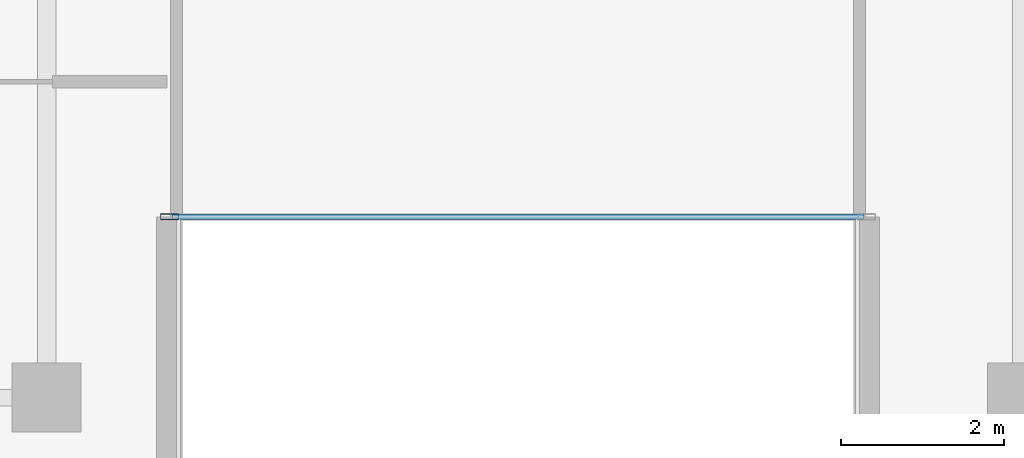
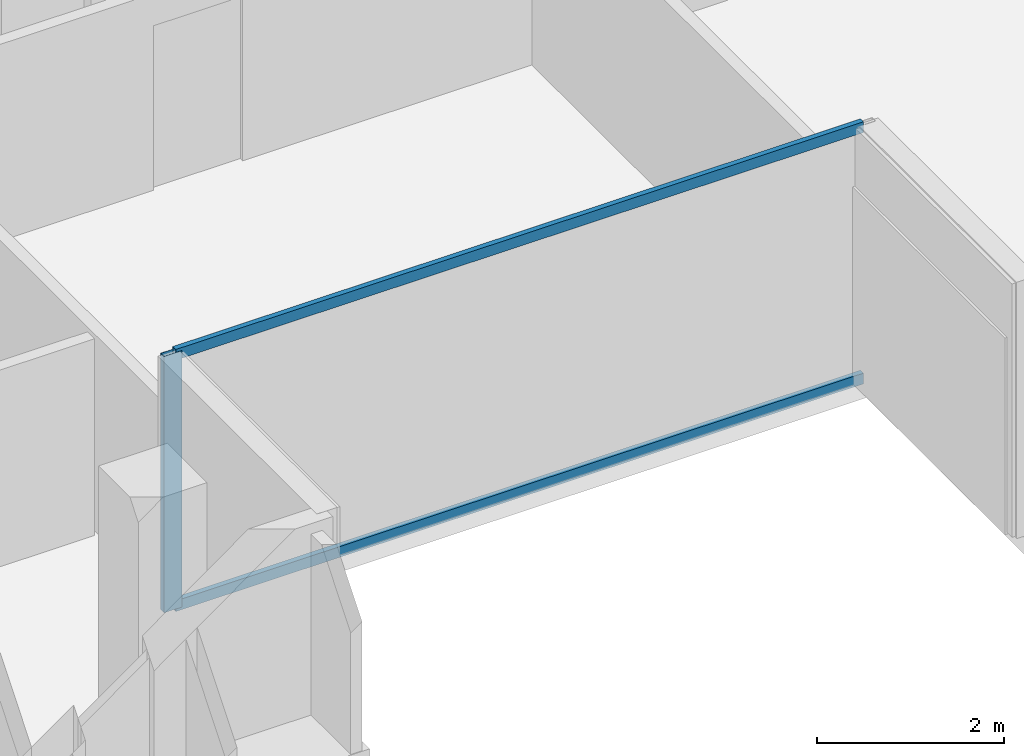
# One storey, part 4 of 31: 3 members, 1 element without a shape of its own.
"""IFC4 building model written with IfcOpenShell, lengths in metres."""

from ifc_helpers import new_model, si_unit, direction, frame, origin, origin_2d, place, context, subcontext, project, spatial, hollow_rectangle, extrude, material, layer, layer_set, material_profile, profile_set, type_object, element, aggregate, save


model = new_model("IFC4")

# Units and contexts
model_context = context("Model", 3, precision=1e-05, world=origin(), true_north=direction((0.0, 1.0)))
body_context = subcontext(model_context, "Body", "Model", "MODEL_VIEW")
ifc_project = project(units=[si_unit("LENGTHUNIT", "METRE"), si_unit("AREAUNIT", "SQUARE_METRE"), si_unit("VOLUMEUNIT", "CUBIC_METRE"), si_unit("PLANEANGLEUNIT", "RADIAN"), si_unit("MASSUNIT", "GRAM", prefix="KILO")], contexts=[model_context])

# Site, building, storey
site_placement = place(None, origin())
site = spatial("IfcSite", under=ifc_project, at=site_placement, CompositionType="ELEMENT")
building_placement = place(site_placement, origin())
building = spatial("IfcBuilding", under=site, at=building_placement, Name="Tanjung Sevakor Pilgrim Tower", CompositionType="ELEMENT")
storey_placement = place(building_placement, frame((0.0, 0.0, 169.2900390625)))
storey = spatial("IfcBuildingStorey", under=building, at=storey_placement, Name="L47", CompositionType="ELEMENT", Elevation=169.2900390625)

# Curtain wall, members
ifc_material_1 = material(Name="Aluminium 6063-T6 and Low-E Glass", Category="aluminium")
ifc_layer = layer(ifc_material_1, 0.179931640625)
ifc_layer_set = layer_set([ifc_layer], Name="CW-SYS-CLEFT")
curtain_wall_type = type_object("IfcCurtainWallType", Name="CW-SYS-CLEFT", PredefinedType="NOTDEFINED", material=ifc_layer_set)
curtain_wall_placement = place(storey_placement, origin())
curtain_wall = element("IfcCurtainWall", 1, at=curtain_wall_placement, inside=storey, type_object=curtain_wall_type, Name="L47 Curtain Wall CW-CLF-L47-2", PredefinedType="NOTDEFINED")
ifc_material_2 = material(Name="Aluminium 6063-T6", Category="aluminium")
ifc_material_profile_1 = material_profile(ifc_material_2, hollow_rectangle(XDim=0.074951171875, YDim=0.219970703125, WallThickness=0.0048828125, at=origin_2d()))
ifc_profile_set_1 = profile_set([ifc_material_profile_1], Name="Aluminium 6063-T6")
member_type_1 = type_object("IfcMemberType", Name="TYPE-CWM-2", PredefinedType="MULLION", material=ifc_profile_set_1)
member_1_placement = place(storey_placement, frame((43.512451171875, 15.425048828125, 0.0), z_axis=(0.0, 0.0, 1.0), x_axis=(0.0, 1.0, 0.0)))
member_1 = element("IfcMember", 2, at=member_1_placement, type_object=member_type_1, Name="CW-CLF mullion 1", PredefinedType="MULLION", context=body_context, shape_type="SweptSolid", body=[
    extrude(hollow_rectangle(XDim=0.074951171875, YDim=0.219970703125, WallThickness=0.0048828125, at=origin_2d()), origin(), (0.0, 0.0, 1.0), 3.349853515625),
])
ifc_material_3 = material(Name="Aluminium 6063-T6", Category="aluminium")
ifc_material_profile_2 = material_profile(ifc_material_3, hollow_rectangle(XDim=0.06494140625, YDim=0.139892578125, WallThickness=0.00390625, at=origin_2d()))
ifc_profile_set_2 = profile_set([ifc_material_profile_2], Name="Aluminium 6063-T6")
member_type_2 = type_object("IfcMemberType", Name="TYPE-CWT-1", PredefinedType="USERDEFINED", material=ifc_profile_set_2)
member_2_placement = place(storey_placement, frame((43.550048828125, 15.425048828125, 0.032470703125), z_axis=(1.0, 0.0, 0.0), x_axis=(0.0, 1.0, 0.0)))
member_2 = element("IfcMember", 3, at=member_2_placement, type_object=member_type_2, Name="CW-CLF transom 1.1", ObjectType="TRANSOM", PredefinedType="USERDEFINED", context=body_context, shape_type="SweptSolid", body=[
    extrude(hollow_rectangle(XDim=0.06494140625, YDim=0.139892578125, WallThickness=0.00390625, at=origin_2d()), origin(), (0.0, 0.0, 1.0), 8.5),
])
member_3_placement = place(storey_placement, frame((43.550048828125, 15.425048828125, 3.3173828125), z_axis=(1.0, 0.0, 0.0), x_axis=(0.0, 1.0, 0.0)))
member_3 = element("IfcMember", 4, at=member_3_placement, type_object=member_type_2, Name="CW-CLF transom 1.2", ObjectType="TRANSOM", PredefinedType="USERDEFINED", context=body_context, shape_type="SweptSolid", body=[
    extrude(hollow_rectangle(XDim=0.06494140625, YDim=0.139892578125, WallThickness=0.00390625, at=origin_2d()), origin(), (0.0, 0.0, 1.0), 8.5),
])
aggregate(curtain_wall, [member_1, member_2, member_3])

save(model, "model.ifc")
